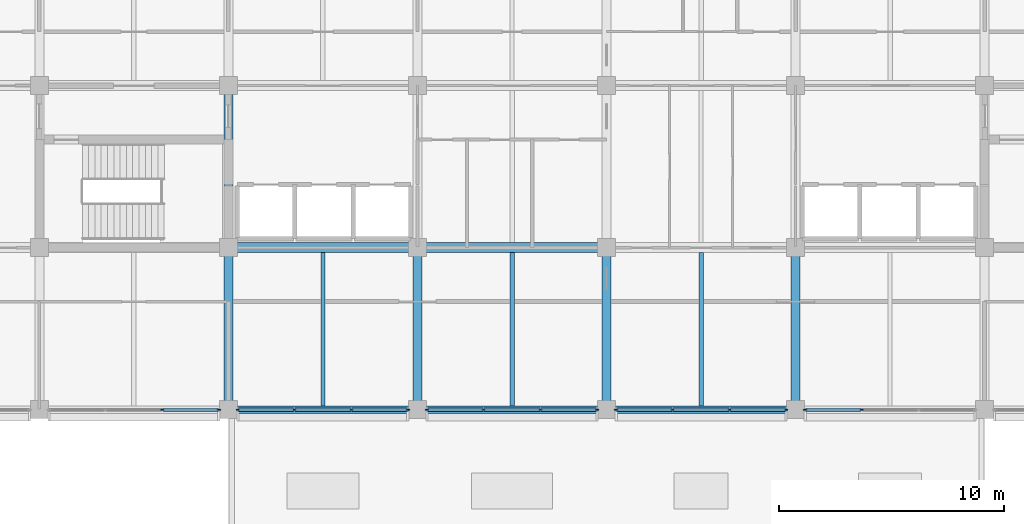
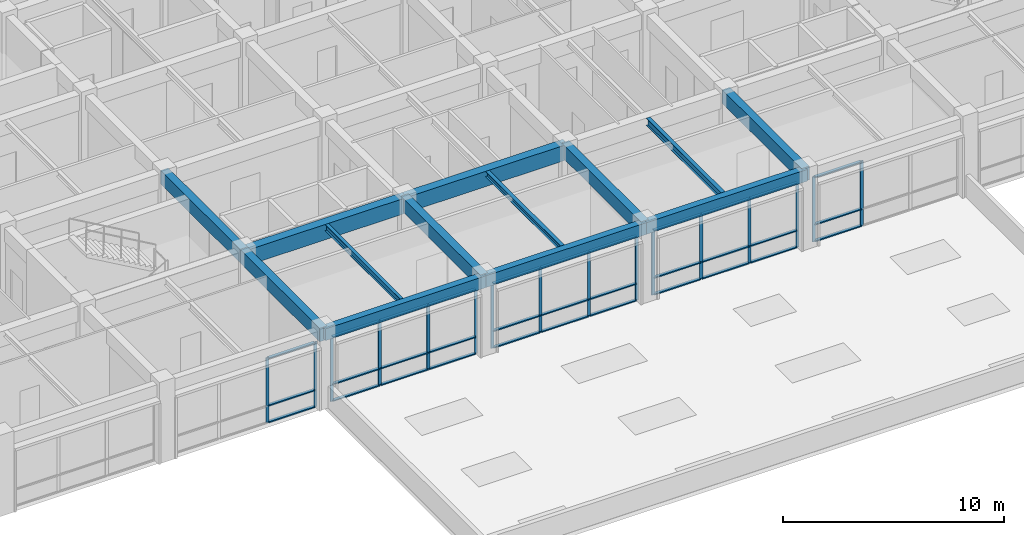
# One storey, part 5 of 40: 49 members, 13 beams, 5 elements without a shape of their own.
"""IFC4 building model written with IfcOpenShell, lengths in metres."""

from ifc_helpers import new_model, si_unit, direction, frame, origin, origin_2d, place, context, subcontext, project, spatial, rectangle, i_section, extrude, material, layer, layer_set, material_profile, profile_set, type_object, element, aggregate, save


model = new_model("IFC4")

# Units and contexts
model_context = context("Model", 3, precision=1e-05, world=origin(), true_north=direction((0.0, 1.0)))
body_context = subcontext(model_context, "Body", "Model", "MODEL_VIEW")
ifc_project = project(units=[si_unit("LENGTHUNIT", "METRE"), si_unit("AREAUNIT", "SQUARE_METRE"), si_unit("VOLUMEUNIT", "CUBIC_METRE"), si_unit("PLANEANGLEUNIT", "RADIAN"), si_unit("MASSUNIT", "GRAM", prefix="KILO")], contexts=[model_context])

# Site, building, storey
site_placement = place(None, origin())
site = spatial("IfcSite", under=ifc_project, at=site_placement, CompositionType="ELEMENT")
building_placement = place(site_placement, origin())
building = spatial("IfcBuilding", under=site, at=building_placement, Name="Chengyuan Square Courthouse", CompositionType="ELEMENT")
storey_placement = place(building_placement, frame((0.0, 0.0, 21.60009765625)))
storey = spatial("IfcBuildingStorey", under=building, at=storey_placement, Name="L05", CompositionType="ELEMENT", Elevation=21.60009765625)

# Beams
ifc_material_1 = material(Name="Concrete C40", Category="concrete")
ifc_material_profile_1 = material_profile(ifc_material_1, rectangle(XDim=0.449951171875, YDim=0.85009765625, at=origin_2d()), Name="RC-BM-450x850")
ifc_profile_set_1 = profile_set([ifc_material_profile_1], Name="Concrete C40")
beam_type_1 = type_object("IfcBeamType", Name="BM-01", PredefinedType="USERDEFINED", material=ifc_profile_set_1)
beam_1_placement = place(storey_placement, frame((67.199951171875, 86.39990234375, 3.81494140625), z_axis=(1.0, 0.0, 0.0), x_axis=(0.0, 1.0, 0.0)))
element("IfcBeam", 1, at=beam_1_placement, inside=storey, type_object=beam_type_1, Name="Girder BM-L05-3213", ObjectType="GIRDER", PredefinedType="USERDEFINED", context=body_context, shape_type="SweptSolid", body=[
    extrude(rectangle(XDim=0.449951171875, YDim=0.85009765625, at=origin_2d()), origin(), (0.0, 0.0, 1.0), 8.400146484375),
])
beam_2_placement = place(storey_placement, frame((75.60009765625, 86.39990234375, 3.81494140625), z_axis=(1.0, 0.0, 0.0), x_axis=(0.0, 1.0, 0.0)))
element("IfcBeam", 2, at=beam_2_placement, inside=storey, type_object=beam_type_1, Name="Girder BM-L05-3214", ObjectType="GIRDER", PredefinedType="USERDEFINED", context=body_context, shape_type="SweptSolid", body=[
    extrude(rectangle(XDim=0.449951171875, YDim=0.85009765625, at=origin_2d()), origin(), (0.0, 0.0, 1.0), 8.39990234375),
])
ifc_material_profile_2 = material_profile(ifc_material_1, rectangle(XDim=0.39990234375, YDim=0.75, at=origin_2d()), Name="RC-BM-400x750")
ifc_profile_set_2 = profile_set([ifc_material_profile_2], Name="Concrete C40")
beam_type_2 = type_object("IfcBeamType", Name="BM-02", PredefinedType="USERDEFINED", material=ifc_profile_set_2)
beam_3_placement = place(storey_placement, frame((67.199951171875, 79.199951171875, 3.864990234375), z_axis=(0.0, 1.0, 0.0), x_axis=(-1.0, 0.0, 0.0)))
element("IfcBeam", 3, at=beam_3_placement, inside=storey, type_object=beam_type_2, Name="Girder BM-L05-3288", ObjectType="GIRDER", PredefinedType="USERDEFINED", context=body_context, shape_type="SweptSolid", body=[
    extrude(rectangle(XDim=0.39990234375, YDim=0.75, at=origin_2d()), origin(), (0.0, 0.0, 1.0), 7.199951171875),
])
beam_4_placement = place(storey_placement, frame((67.199951171875, 86.39990234375, 3.864990234375), z_axis=(0.0, 1.0, 0.0), x_axis=(-1.0, 0.0, 0.0)))
element("IfcBeam", 4, at=beam_4_placement, inside=storey, type_object=beam_type_2, Name="Girder BM-L05-3289", ObjectType="GIRDER", PredefinedType="USERDEFINED", context=body_context, shape_type="SweptSolid", body=[
    extrude(rectangle(XDim=0.39990234375, YDim=0.75, at=origin_2d()), origin(), (0.0, 0.0, 1.0), 7.2001953125),
])
for number, where, z_axis, x_axis, name in (
    (5, (75.60009765625, 79.199951171875, 3.864990234375), (0.0, 1.0, 0.0), (-1.0, 0.0, 0.0), "Girder BM-L05-3293"),
    (6, (84.0, 79.199951171875, 3.864990234375), (0.0, 1.0, 0.0), (-1.0, 0.0, 0.0), "Girder BM-L05-3298"),
    (7, (92.39990234375, 79.199951171875, 3.864990234375), (0.0, 1.0, 0.0), (-1.0, 0.0, 0.0), "Girder BM-L05-3303"),
):
    element("IfcBeam", number, at=place(storey_placement, frame(where, z_axis=z_axis, x_axis=x_axis)), inside=storey, type_object=beam_type_2, Name=name, ObjectType="GIRDER", PredefinedType="USERDEFINED", context=body_context, shape_type="SweptSolid", body=[
        extrude(rectangle(XDim=0.39990234375, YDim=0.75, at=origin_2d()), origin(), (0.0, 0.0, 1.0), 7.199951171875),
    ])
ifc_material_profile_3 = material_profile(ifc_material_1, rectangle(XDim=0.35009765625, YDim=0.64990234375, at=origin_2d()), Name="RC-BM-350x650")
ifc_profile_set_3 = profile_set([ifc_material_profile_3], Name="Concrete C40")
beam_type_3 = type_object("IfcBeamType", Name="BM-03", PredefinedType="SPANDREL", material=ifc_profile_set_3)
beam_5_placement = place(storey_placement, frame((67.199951171875, 79.199951171875, 3.914794921875), z_axis=(1.0, 0.0, 0.0), x_axis=(0.0, 1.0, 0.0)))
element("IfcBeam", 8, at=beam_5_placement, inside=storey, type_object=beam_type_3, Name="Girder BM-L05-3200", PredefinedType="SPANDREL", context=body_context, shape_type="SweptSolid", body=[
    extrude(rectangle(XDim=0.35009765625, YDim=0.64990234375, at=origin_2d()), origin(), (0.0, 0.0, 1.0), 8.400146484375),
])
for number, where, z_axis, x_axis, name in (
    (9, (75.60009765625, 79.199951171875, 3.914794921875), (1.0, 0.0, 0.0), (0.0, 1.0, 0.0), "Girder BM-L05-3201"),
    (10, (84.0, 79.199951171875, 3.914794921875), (1.0, 0.0, 0.0), (0.0, 1.0, 0.0), "Girder BM-L05-3202"),
):
    element("IfcBeam", number, at=place(storey_placement, frame(where, z_axis=z_axis, x_axis=x_axis)), inside=storey, type_object=beam_type_3, Name=name, PredefinedType="SPANDREL", context=body_context, shape_type="SweptSolid", body=[
        extrude(rectangle(XDim=0.35009765625, YDim=0.64990234375, at=origin_2d()), origin(), (0.0, 0.0, 1.0), 8.39990234375),
    ])
ifc_material_2 = material(Name="Steel Q355B", Category="steel")
ifc_material_profile_4 = material_profile(ifc_material_2, i_section(OverallWidth=0.199951171875, OverallDepth=0.39990234375, WebThickness=0.008056640625, FlangeThickness=0.012939453125, at=origin_2d()), Name="HN 400x200x8x13")
ifc_profile_set_4 = profile_set([ifc_material_profile_4], Name="Steel Q355B")
beam_type_4 = type_object("IfcBeamType", Name="BM-07", PredefinedType="BEAM", material=ifc_profile_set_4)
beam_6_placement = place(storey_placement, frame((88.199951171875, 79.375, 4.039794921875), z_axis=(0.0, 1.0, 0.0), x_axis=(-1.0, 0.0, 0.0)))
element("IfcBeam", 11, at=beam_6_placement, inside=storey, type_object=beam_type_4, Name="Secondary Floor Beam SBM-L05-3359", PredefinedType="BEAM", context=body_context, shape_type="SweptSolid", body=[
    extrude(i_section(OverallWidth=0.199951171875, OverallDepth=0.39990234375, WebThickness=0.008056640625, FlangeThickness=0.012939453125, at=origin_2d()), origin(), (0.0, 0.0, 1.0), 6.800048828125),
])
ifc_material_profile_5 = material_profile(ifc_material_2, i_section(OverallWidth=0.175048828125, OverallDepth=0.35009765625, WebThickness=0.007080078125, FlangeThickness=0.010986328125, at=origin_2d()), Name="HN 350x175x7x11")
ifc_profile_set_5 = profile_set([ifc_material_profile_5], Name="Steel Q355B")
beam_type_5 = type_object("IfcBeamType", Name="BM-08", PredefinedType="BEAM", material=ifc_profile_set_5)
beam_7_placement = place(storey_placement, frame((71.39990234375, 79.375, 4.06494140625), z_axis=(0.0, 1.0, 0.0), x_axis=(-1.0, 0.0, 0.0)))
element("IfcBeam", 12, at=beam_7_placement, inside=storey, type_object=beam_type_5, Name="Secondary Floor Beam SBM-L05-3351", PredefinedType="BEAM", context=body_context, shape_type="SweptSolid", body=[
    extrude(i_section(OverallWidth=0.175048828125, OverallDepth=0.35009765625, WebThickness=0.007080078125, FlangeThickness=0.010986328125, at=origin_2d()), origin(), (0.0, 0.0, 1.0), 6.800048828125),
])
ifc_material_profile_6 = material_profile(ifc_material_2, i_section(OverallWidth=0.199951171875, OverallDepth=0.300048828125, WebThickness=0.008056640625, FlangeThickness=0.011962890625, at=origin_2d()), Name="HM 300x200x8x12")
ifc_profile_set_6 = profile_set([ifc_material_profile_6], Name="Steel Q355B")
beam_type_6 = type_object("IfcBeamType", Name="BM-09", PredefinedType="BEAM", material=ifc_profile_set_6)
beam_8_placement = place(storey_placement, frame((79.800048828125, 79.375, 4.08984375), z_axis=(0.0, 1.0, 0.0), x_axis=(-1.0, 0.0, 0.0)))
element("IfcBeam", 13, at=beam_8_placement, inside=storey, type_object=beam_type_6, Name="Secondary Floor Beam SBM-L05-3355", PredefinedType="BEAM", context=body_context, shape_type="SweptSolid", body=[
    extrude(i_section(OverallWidth=0.199951171875, OverallDepth=0.300048828125, WebThickness=0.008056640625, FlangeThickness=0.011962890625, at=origin_2d()), origin(), (0.0, 0.0, 1.0), 6.800048828125),
])

# Curtain wall, members
ifc_material_3 = material(Name="Unitised Aluminium and Triple Low-E Glass", Category="aluminium")
ifc_layer = layer(ifc_material_3, 0.159912109375)
ifc_layer_set = layer_set([ifc_layer], Name="Unitised Aluminium and Triple Low-E Glass")
curtain_wall_type = type_object("IfcCurtainWallType", Name="CW-13", PredefinedType="USERDEFINED", material=ifc_layer_set)
curtain_wall_1_placement = place(storey_placement, origin())
curtain_wall_1 = element("IfcCurtainWall", 14, at=curtain_wall_1_placement, inside=storey, type_object=curtain_wall_type, Name="Unitised Curtain Wall CW-L05-170", ObjectType="UNITISED CURTAIN WALL", PredefinedType="USERDEFINED")
ifc_material_4 = material(Name="Aluminium 6063-T6 Frame", Category="aluminium")
ifc_material_profile_7 = material_profile(ifc_material_4, rectangle(XDim=0.06005859375, YDim=0.159912109375, at=origin_2d()), Name="CW-MUL-60x160")
ifc_profile_set_7 = profile_set([ifc_material_profile_7], Name="Aluminium 6063-T6 Frame")
member_type_1 = type_object("IfcMemberType", Name="CWM-01", PredefinedType="MULLION", material=ifc_profile_set_7)
member_1_placement = place(storey_placement, frame((64.2666015625, 79.199951171875, 0.0), z_axis=(0.0, 0.0, 1.0), x_axis=(0.0, 1.0, 0.0)))
member_1 = element("IfcMember", 15, at=member_1_placement, type_object=member_type_1, Name="CW-13 mullion 3", PredefinedType="MULLION", context=body_context, shape_type="SweptSolid", body=[
    extrude(rectangle(XDim=0.06005859375, YDim=0.159912109375, at=origin_2d()), origin(), (0.0, 0.0, 1.0), 3.58984375),
])
member_2_placement = place(storey_placement, frame((66.77001953125, 79.199951171875, 0.0), z_axis=(0.0, 0.0, 1.0), x_axis=(0.0, 1.0, 0.0)))
member_2 = element("IfcMember", 16, at=member_2_placement, type_object=member_type_1, Name="CW-13 mullion 4", PredefinedType="MULLION", context=body_context, shape_type="SweptSolid", body=[
    extrude(rectangle(XDim=0.06005859375, YDim=0.159912109375, at=origin_2d()), origin(), (0.0, 0.0, 1.0), 3.58984375),
])

curtain_wall_2_placement = place(storey_placement, origin())
curtain_wall_2 = element("IfcCurtainWall", 17, at=curtain_wall_2_placement, inside=storey, type_object=curtain_wall_type, Name="Unitised Curtain Wall CW-L05-171", ObjectType="UNITISED CURTAIN WALL", PredefinedType="USERDEFINED")
member_3_placement = place(storey_placement, frame((67.6298828125, 79.199951171875, 0.0), z_axis=(0.0, 0.0, 1.0), x_axis=(0.0, 1.0, 0.0)))
member_3 = element("IfcMember", 18, at=member_3_placement, type_object=member_type_1, Name="CW-13 mullion 1", PredefinedType="MULLION", context=body_context, shape_type="SweptSolid", body=[
    extrude(rectangle(XDim=0.06005859375, YDim=0.159912109375, at=origin_2d()), origin(), (0.0, 0.0, 1.0), 3.58984375),
])
member_4_placement = place(storey_placement, frame((70.13330078125, 79.199951171875, 0.0), z_axis=(0.0, 0.0, 1.0), x_axis=(0.0, 1.0, 0.0)))
member_4 = element("IfcMember", 19, at=member_4_placement, type_object=member_type_1, Name="CW-13 mullion 2", PredefinedType="MULLION", context=body_context, shape_type="SweptSolid", body=[
    extrude(rectangle(XDim=0.06005859375, YDim=0.159912109375, at=origin_2d()), origin(), (0.0, 0.0, 1.0), 3.58984375),
])
member_5_placement = place(storey_placement, frame((72.666748046875, 79.199951171875, 0.0), z_axis=(0.0, 0.0, 1.0), x_axis=(0.0, 1.0, 0.0)))
member_5 = element("IfcMember", 20, at=member_5_placement, type_object=member_type_1, Name="CW-13 mullion 3", PredefinedType="MULLION", context=body_context, shape_type="SweptSolid", body=[
    extrude(rectangle(XDim=0.06005859375, YDim=0.159912109375, at=origin_2d()), origin(), (0.0, 0.0, 1.0), 3.58984375),
])
member_6_placement = place(storey_placement, frame((75.169921875, 79.199951171875, 0.0), z_axis=(0.0, 0.0, 1.0), x_axis=(0.0, 1.0, 0.0)))
member_6 = element("IfcMember", 21, at=member_6_placement, type_object=member_type_1, Name="CW-13 mullion 4", PredefinedType="MULLION", context=body_context, shape_type="SweptSolid", body=[
    extrude(rectangle(XDim=0.06005859375, YDim=0.159912109375, at=origin_2d()), origin(), (0.0, 0.0, 1.0), 3.58984375),
])

curtain_wall_3_placement = place(storey_placement, origin())
curtain_wall_3 = element("IfcCurtainWall", 22, at=curtain_wall_3_placement, inside=storey, type_object=curtain_wall_type, Name="Unitised Curtain Wall CW-L05-173", ObjectType="UNITISED CURTAIN WALL", PredefinedType="USERDEFINED")
member_7_placement = place(storey_placement, frame((76.030029296875, 79.199951171875, 0.0), z_axis=(0.0, 0.0, 1.0), x_axis=(0.0, 1.0, 0.0)))
member_7 = element("IfcMember", 23, at=member_7_placement, type_object=member_type_1, Name="CW-13 mullion 1", PredefinedType="MULLION", context=body_context, shape_type="SweptSolid", body=[
    extrude(rectangle(XDim=0.06005859375, YDim=0.159912109375, at=origin_2d()), origin(), (0.0, 0.0, 1.0), 3.58984375),
])
member_8_placement = place(storey_placement, frame((78.533447265625, 79.199951171875, 0.0), z_axis=(0.0, 0.0, 1.0), x_axis=(0.0, 1.0, 0.0)))
member_8 = element("IfcMember", 24, at=member_8_placement, type_object=member_type_1, Name="CW-13 mullion 2", PredefinedType="MULLION", context=body_context, shape_type="SweptSolid", body=[
    extrude(rectangle(XDim=0.06005859375, YDim=0.159912109375, at=origin_2d()), origin(), (0.0, 0.0, 1.0), 3.58984375),
])
member_9_placement = place(storey_placement, frame((81.066650390625, 79.199951171875, 0.0), z_axis=(0.0, 0.0, 1.0), x_axis=(0.0, 1.0, 0.0)))
member_9 = element("IfcMember", 25, at=member_9_placement, type_object=member_type_1, Name="CW-13 mullion 3", PredefinedType="MULLION", context=body_context, shape_type="SweptSolid", body=[
    extrude(rectangle(XDim=0.06005859375, YDim=0.159912109375, at=origin_2d()), origin(), (0.0, 0.0, 1.0), 3.58984375),
])
member_10_placement = place(storey_placement, frame((83.570068359375, 79.199951171875, 0.0), z_axis=(0.0, 0.0, 1.0), x_axis=(0.0, 1.0, 0.0)))
member_10 = element("IfcMember", 26, at=member_10_placement, type_object=member_type_1, Name="CW-13 mullion 4", PredefinedType="MULLION", context=body_context, shape_type="SweptSolid", body=[
    extrude(rectangle(XDim=0.06005859375, YDim=0.159912109375, at=origin_2d()), origin(), (0.0, 0.0, 1.0), 3.58984375),
])

curtain_wall_4_placement = place(storey_placement, origin())
curtain_wall_4 = element("IfcCurtainWall", 27, at=curtain_wall_4_placement, inside=storey, type_object=curtain_wall_type, Name="Unitised Curtain Wall CW-L05-174", ObjectType="UNITISED CURTAIN WALL", PredefinedType="USERDEFINED")
member_11_placement = place(storey_placement, frame((84.429931640625, 79.199951171875, 0.0), z_axis=(0.0, 0.0, 1.0), x_axis=(0.0, 1.0, 0.0)))
member_11 = element("IfcMember", 28, at=member_11_placement, type_object=member_type_1, Name="CW-13 mullion 1", PredefinedType="MULLION", context=body_context, shape_type="SweptSolid", body=[
    extrude(rectangle(XDim=0.06005859375, YDim=0.159912109375, at=origin_2d()), origin(), (0.0, 0.0, 1.0), 3.58984375),
])
member_12_placement = place(storey_placement, frame((86.933349609375, 79.199951171875, 0.0), z_axis=(0.0, 0.0, 1.0), x_axis=(0.0, 1.0, 0.0)))
member_12 = element("IfcMember", 29, at=member_12_placement, type_object=member_type_1, Name="CW-13 mullion 2", PredefinedType="MULLION", context=body_context, shape_type="SweptSolid", body=[
    extrude(rectangle(XDim=0.06005859375, YDim=0.159912109375, at=origin_2d()), origin(), (0.0, 0.0, 1.0), 3.58984375),
])
member_13_placement = place(storey_placement, frame((89.466552734375, 79.199951171875, 0.0), z_axis=(0.0, 0.0, 1.0), x_axis=(0.0, 1.0, 0.0)))
member_13 = element("IfcMember", 30, at=member_13_placement, type_object=member_type_1, Name="CW-13 mullion 3", PredefinedType="MULLION", context=body_context, shape_type="SweptSolid", body=[
    extrude(rectangle(XDim=0.06005859375, YDim=0.159912109375, at=origin_2d()), origin(), (0.0, 0.0, 1.0), 3.58984375),
])
member_14_placement = place(storey_placement, frame((91.969970703125, 79.199951171875, 0.0), z_axis=(0.0, 0.0, 1.0), x_axis=(0.0, 1.0, 0.0)))
member_14 = element("IfcMember", 31, at=member_14_placement, type_object=member_type_1, Name="CW-13 mullion 4", PredefinedType="MULLION", context=body_context, shape_type="SweptSolid", body=[
    extrude(rectangle(XDim=0.06005859375, YDim=0.159912109375, at=origin_2d()), origin(), (0.0, 0.0, 1.0), 3.58984375),
])

curtain_wall_5_placement = place(storey_placement, origin())
curtain_wall_5 = element("IfcCurtainWall", 32, at=curtain_wall_5_placement, inside=storey, type_object=curtain_wall_type, Name="Unitised Curtain Wall CW-L05-176", ObjectType="UNITISED CURTAIN WALL", PredefinedType="USERDEFINED")
member_15_placement = place(storey_placement, frame((92.830078125, 79.199951171875, 0.0), z_axis=(0.0, 0.0, 1.0), x_axis=(0.0, 1.0, 0.0)))
member_15 = element("IfcMember", 33, at=member_15_placement, type_object=member_type_1, Name="CW-13 mullion 1", PredefinedType="MULLION", context=body_context, shape_type="SweptSolid", body=[
    extrude(rectangle(XDim=0.06005859375, YDim=0.159912109375, at=origin_2d()), origin(), (0.0, 0.0, 1.0), 3.58984375),
])
member_16_placement = place(storey_placement, frame((95.333251953125, 79.199951171875, 0.0), z_axis=(0.0, 0.0, 1.0), x_axis=(0.0, 1.0, 0.0)))
member_16 = element("IfcMember", 34, at=member_16_placement, type_object=member_type_1, Name="CW-13 mullion 2", PredefinedType="MULLION", context=body_context, shape_type="SweptSolid", body=[
    extrude(rectangle(XDim=0.06005859375, YDim=0.159912109375, at=origin_2d()), origin(), (0.0, 0.0, 1.0), 3.58984375),
])

# Member
ifc_material_profile_8 = material_profile(ifc_material_4, rectangle(XDim=0.159912109375, YDim=0.06005859375, at=origin_2d()), Name="CW-TRN-60x120")
ifc_profile_set_8 = profile_set([ifc_material_profile_8], Name="Aluminium 6063-T6 Frame")
member_type_2 = type_object("IfcMemberType", Name="CWT-01", PredefinedType="USERDEFINED", material=ifc_profile_set_8)
member_17_placement = place(storey_placement, frame((64.296630859375, 79.199951171875, 0.02978515625), z_axis=(1.0, 0.0, 0.0), x_axis=(0.0, 1.0, 0.0)))
member_17 = element("IfcMember", 35, at=member_17_placement, type_object=member_type_2, Name="CW-13 transom 3.1", ObjectType="TRANSOM", PredefinedType="USERDEFINED", context=body_context, shape_type="SweptSolid", body=[
    extrude(rectangle(XDim=0.159912109375, YDim=0.06005859375, at=origin_2d()), origin(), (0.0, 0.0, 1.0), 2.443359375),
])

member_18_placement = place(storey_placement, frame((64.296630859375, 79.199951171875, 0.949951171875), z_axis=(1.0, 0.0, 0.0), x_axis=(0.0, 1.0, 0.0)))
member_18 = element("IfcMember", 36, at=member_18_placement, type_object=member_type_2, Name="CW-13 transom 3.2", ObjectType="TRANSOM", PredefinedType="USERDEFINED", context=body_context, shape_type="SweptSolid", body=[
    extrude(rectangle(XDim=0.159912109375, YDim=0.06005859375, at=origin_2d()), origin(), (0.0, 0.0, 1.0), 2.443359375),
])

member_19_placement = place(storey_placement, frame((64.296630859375, 79.199951171875, 3.559814453125), z_axis=(1.0, 0.0, 0.0), x_axis=(0.0, 1.0, 0.0)))
member_19 = element("IfcMember", 37, at=member_19_placement, type_object=member_type_2, Name="CW-13 transom 3.3", ObjectType="TRANSOM", PredefinedType="USERDEFINED", context=body_context, shape_type="SweptSolid", body=[
    extrude(rectangle(XDim=0.159912109375, YDim=0.06005859375, at=origin_2d()), origin(), (0.0, 0.0, 1.0), 2.443359375),
])

aggregate(curtain_wall_1, [member_1, member_2, member_17, member_18, member_19])

member_20_placement = place(storey_placement, frame((67.659912109375, 79.199951171875, 0.02978515625), z_axis=(1.0, 0.0, 0.0), x_axis=(0.0, 1.0, 0.0)))
member_20 = element("IfcMember", 38, at=member_20_placement, type_object=member_type_2, Name="CW-13 transom 1.1", ObjectType="TRANSOM", PredefinedType="USERDEFINED", context=body_context, shape_type="SweptSolid", body=[
    extrude(rectangle(XDim=0.159912109375, YDim=0.06005859375, at=origin_2d()), origin(), (0.0, 0.0, 1.0), 2.443359375),
])

member_21_placement = place(storey_placement, frame((67.659912109375, 79.199951171875, 0.949951171875), z_axis=(1.0, 0.0, 0.0), x_axis=(0.0, 1.0, 0.0)))
member_21 = element("IfcMember", 39, at=member_21_placement, type_object=member_type_2, Name="CW-13 transom 1.2", ObjectType="TRANSOM", PredefinedType="USERDEFINED", context=body_context, shape_type="SweptSolid", body=[
    extrude(rectangle(XDim=0.159912109375, YDim=0.06005859375, at=origin_2d()), origin(), (0.0, 0.0, 1.0), 2.443359375),
])

member_22_placement = place(storey_placement, frame((67.659912109375, 79.199951171875, 3.559814453125), z_axis=(1.0, 0.0, 0.0), x_axis=(0.0, 1.0, 0.0)))
member_22 = element("IfcMember", 40, at=member_22_placement, type_object=member_type_2, Name="CW-13 transom 1.3", ObjectType="TRANSOM", PredefinedType="USERDEFINED", context=body_context, shape_type="SweptSolid", body=[
    extrude(rectangle(XDim=0.159912109375, YDim=0.06005859375, at=origin_2d()), origin(), (0.0, 0.0, 1.0), 2.443359375),
])

member_23_placement = place(storey_placement, frame((70.163330078125, 79.199951171875, 0.02978515625), z_axis=(1.0, 0.0, 0.0), x_axis=(0.0, 1.0, 0.0)))
member_23 = element("IfcMember", 41, at=member_23_placement, type_object=member_type_2, Name="CW-13 transom 2.1", ObjectType="TRANSOM", PredefinedType="USERDEFINED", context=body_context, shape_type="SweptSolid", body=[
    extrude(rectangle(XDim=0.159912109375, YDim=0.06005859375, at=origin_2d()), origin(), (0.0, 0.0, 1.0), 2.473388671875),
])

member_24_placement = place(storey_placement, frame((70.163330078125, 79.199951171875, 0.949951171875), z_axis=(1.0, 0.0, 0.0), x_axis=(0.0, 1.0, 0.0)))
member_24 = element("IfcMember", 42, at=member_24_placement, type_object=member_type_2, Name="CW-13 transom 2.2", ObjectType="TRANSOM", PredefinedType="USERDEFINED", context=body_context, shape_type="SweptSolid", body=[
    extrude(rectangle(XDim=0.159912109375, YDim=0.06005859375, at=origin_2d()), origin(), (0.0, 0.0, 1.0), 2.473388671875),
])

member_25_placement = place(storey_placement, frame((70.163330078125, 79.199951171875, 3.559814453125), z_axis=(1.0, 0.0, 0.0), x_axis=(0.0, 1.0, 0.0)))
member_25 = element("IfcMember", 43, at=member_25_placement, type_object=member_type_2, Name="CW-13 transom 2.3", ObjectType="TRANSOM", PredefinedType="USERDEFINED", context=body_context, shape_type="SweptSolid", body=[
    extrude(rectangle(XDim=0.159912109375, YDim=0.06005859375, at=origin_2d()), origin(), (0.0, 0.0, 1.0), 2.473388671875),
])

member_26_placement = place(storey_placement, frame((72.69677734375, 79.199951171875, 0.02978515625), z_axis=(1.0, 0.0, 0.0), x_axis=(0.0, 1.0, 0.0)))
member_26 = element("IfcMember", 44, at=member_26_placement, type_object=member_type_2, Name="CW-13 transom 3.1", ObjectType="TRANSOM", PredefinedType="USERDEFINED", context=body_context, shape_type="SweptSolid", body=[
    extrude(rectangle(XDim=0.159912109375, YDim=0.06005859375, at=origin_2d()), origin(), (0.0, 0.0, 1.0), 2.443115234375),
])

member_27_placement = place(storey_placement, frame((72.69677734375, 79.199951171875, 0.949951171875), z_axis=(1.0, 0.0, 0.0), x_axis=(0.0, 1.0, 0.0)))
member_27 = element("IfcMember", 45, at=member_27_placement, type_object=member_type_2, Name="CW-13 transom 3.2", ObjectType="TRANSOM", PredefinedType="USERDEFINED", context=body_context, shape_type="SweptSolid", body=[
    extrude(rectangle(XDim=0.159912109375, YDim=0.06005859375, at=origin_2d()), origin(), (0.0, 0.0, 1.0), 2.443115234375),
])

member_28_placement = place(storey_placement, frame((72.69677734375, 79.199951171875, 3.559814453125), z_axis=(1.0, 0.0, 0.0), x_axis=(0.0, 1.0, 0.0)))
member_28 = element("IfcMember", 46, at=member_28_placement, type_object=member_type_2, Name="CW-13 transom 3.3", ObjectType="TRANSOM", PredefinedType="USERDEFINED", context=body_context, shape_type="SweptSolid", body=[
    extrude(rectangle(XDim=0.159912109375, YDim=0.06005859375, at=origin_2d()), origin(), (0.0, 0.0, 1.0), 2.443115234375),
])

aggregate(curtain_wall_2, [member_3, member_4, member_5, member_6, member_20, member_21, member_22, member_23, member_24, member_25, member_26, member_27, member_28])

member_29_placement = place(storey_placement, frame((76.06005859375, 79.199951171875, 0.02978515625), z_axis=(1.0, 0.0, 0.0), x_axis=(0.0, 1.0, 0.0)))
member_29 = element("IfcMember", 47, at=member_29_placement, type_object=member_type_2, Name="CW-13 transom 1.1", ObjectType="TRANSOM", PredefinedType="USERDEFINED", context=body_context, shape_type="SweptSolid", body=[
    extrude(rectangle(XDim=0.159912109375, YDim=0.06005859375, at=origin_2d()), origin(), (0.0, 0.0, 1.0), 2.443359375),
])

member_30_placement = place(storey_placement, frame((76.06005859375, 79.199951171875, 0.949951171875), z_axis=(1.0, 0.0, 0.0), x_axis=(0.0, 1.0, 0.0)))
member_30 = element("IfcMember", 48, at=member_30_placement, type_object=member_type_2, Name="CW-13 transom 1.2", ObjectType="TRANSOM", PredefinedType="USERDEFINED", context=body_context, shape_type="SweptSolid", body=[
    extrude(rectangle(XDim=0.159912109375, YDim=0.06005859375, at=origin_2d()), origin(), (0.0, 0.0, 1.0), 2.443359375),
])

member_31_placement = place(storey_placement, frame((76.06005859375, 79.199951171875, 3.559814453125), z_axis=(1.0, 0.0, 0.0), x_axis=(0.0, 1.0, 0.0)))
member_31 = element("IfcMember", 49, at=member_31_placement, type_object=member_type_2, Name="CW-13 transom 1.3", ObjectType="TRANSOM", PredefinedType="USERDEFINED", context=body_context, shape_type="SweptSolid", body=[
    extrude(rectangle(XDim=0.159912109375, YDim=0.06005859375, at=origin_2d()), origin(), (0.0, 0.0, 1.0), 2.443359375),
])

member_32_placement = place(storey_placement, frame((78.563232421875, 79.199951171875, 0.02978515625), z_axis=(1.0, 0.0, 0.0), x_axis=(0.0, 1.0, 0.0)))
member_32 = element("IfcMember", 50, at=member_32_placement, type_object=member_type_2, Name="CW-13 transom 2.1", ObjectType="TRANSOM", PredefinedType="USERDEFINED", context=body_context, shape_type="SweptSolid", body=[
    extrude(rectangle(XDim=0.159912109375, YDim=0.06005859375, at=origin_2d()), origin(), (0.0, 0.0, 1.0), 2.473388671875),
])

member_33_placement = place(storey_placement, frame((78.563232421875, 79.199951171875, 0.949951171875), z_axis=(1.0, 0.0, 0.0), x_axis=(0.0, 1.0, 0.0)))
member_33 = element("IfcMember", 51, at=member_33_placement, type_object=member_type_2, Name="CW-13 transom 2.2", ObjectType="TRANSOM", PredefinedType="USERDEFINED", context=body_context, shape_type="SweptSolid", body=[
    extrude(rectangle(XDim=0.159912109375, YDim=0.06005859375, at=origin_2d()), origin(), (0.0, 0.0, 1.0), 2.473388671875),
])

member_34_placement = place(storey_placement, frame((78.563232421875, 79.199951171875, 3.559814453125), z_axis=(1.0, 0.0, 0.0), x_axis=(0.0, 1.0, 0.0)))
member_34 = element("IfcMember", 52, at=member_34_placement, type_object=member_type_2, Name="CW-13 transom 2.3", ObjectType="TRANSOM", PredefinedType="USERDEFINED", context=body_context, shape_type="SweptSolid", body=[
    extrude(rectangle(XDim=0.159912109375, YDim=0.06005859375, at=origin_2d()), origin(), (0.0, 0.0, 1.0), 2.473388671875),
])

member_35_placement = place(storey_placement, frame((81.0966796875, 79.199951171875, 0.02978515625), z_axis=(1.0, 0.0, 0.0), x_axis=(0.0, 1.0, 0.0)))
member_35 = element("IfcMember", 53, at=member_35_placement, type_object=member_type_2, Name="CW-13 transom 3.1", ObjectType="TRANSOM", PredefinedType="USERDEFINED", context=body_context, shape_type="SweptSolid", body=[
    extrude(rectangle(XDim=0.159912109375, YDim=0.06005859375, at=origin_2d()), origin(), (0.0, 0.0, 1.0), 2.443359375),
])

member_36_placement = place(storey_placement, frame((81.0966796875, 79.199951171875, 0.949951171875), z_axis=(1.0, 0.0, 0.0), x_axis=(0.0, 1.0, 0.0)))
member_36 = element("IfcMember", 54, at=member_36_placement, type_object=member_type_2, Name="CW-13 transom 3.2", ObjectType="TRANSOM", PredefinedType="USERDEFINED", context=body_context, shape_type="SweptSolid", body=[
    extrude(rectangle(XDim=0.159912109375, YDim=0.06005859375, at=origin_2d()), origin(), (0.0, 0.0, 1.0), 2.443359375),
])

member_37_placement = place(storey_placement, frame((81.0966796875, 79.199951171875, 3.559814453125), z_axis=(1.0, 0.0, 0.0), x_axis=(0.0, 1.0, 0.0)))
member_37 = element("IfcMember", 55, at=member_37_placement, type_object=member_type_2, Name="CW-13 transom 3.3", ObjectType="TRANSOM", PredefinedType="USERDEFINED", context=body_context, shape_type="SweptSolid", body=[
    extrude(rectangle(XDim=0.159912109375, YDim=0.06005859375, at=origin_2d()), origin(), (0.0, 0.0, 1.0), 2.443359375),
])

aggregate(curtain_wall_3, [member_7, member_8, member_9, member_10, member_29, member_30, member_31, member_32, member_33, member_34, member_35, member_36, member_37])

member_38_placement = place(storey_placement, frame((84.4599609375, 79.199951171875, 0.02978515625), z_axis=(1.0, 0.0, 0.0), x_axis=(0.0, 1.0, 0.0)))
member_38 = element("IfcMember", 56, at=member_38_placement, type_object=member_type_2, Name="CW-13 transom 1.1", ObjectType="TRANSOM", PredefinedType="USERDEFINED", context=body_context, shape_type="SweptSolid", body=[
    extrude(rectangle(XDim=0.159912109375, YDim=0.06005859375, at=origin_2d()), origin(), (0.0, 0.0, 1.0), 2.443359375),
])

member_39_placement = place(storey_placement, frame((84.4599609375, 79.199951171875, 0.949951171875), z_axis=(1.0, 0.0, 0.0), x_axis=(0.0, 1.0, 0.0)))
member_39 = element("IfcMember", 57, at=member_39_placement, type_object=member_type_2, Name="CW-13 transom 1.2", ObjectType="TRANSOM", PredefinedType="USERDEFINED", context=body_context, shape_type="SweptSolid", body=[
    extrude(rectangle(XDim=0.159912109375, YDim=0.06005859375, at=origin_2d()), origin(), (0.0, 0.0, 1.0), 2.443359375),
])

member_40_placement = place(storey_placement, frame((84.4599609375, 79.199951171875, 3.559814453125), z_axis=(1.0, 0.0, 0.0), x_axis=(0.0, 1.0, 0.0)))
member_40 = element("IfcMember", 58, at=member_40_placement, type_object=member_type_2, Name="CW-13 transom 1.3", ObjectType="TRANSOM", PredefinedType="USERDEFINED", context=body_context, shape_type="SweptSolid", body=[
    extrude(rectangle(XDim=0.159912109375, YDim=0.06005859375, at=origin_2d()), origin(), (0.0, 0.0, 1.0), 2.443359375),
])

member_41_placement = place(storey_placement, frame((86.96337890625, 79.199951171875, 0.02978515625), z_axis=(1.0, 0.0, 0.0), x_axis=(0.0, 1.0, 0.0)))
member_41 = element("IfcMember", 59, at=member_41_placement, type_object=member_type_2, Name="CW-13 transom 2.1", ObjectType="TRANSOM", PredefinedType="USERDEFINED", context=body_context, shape_type="SweptSolid", body=[
    extrude(rectangle(XDim=0.159912109375, YDim=0.06005859375, at=origin_2d()), origin(), (0.0, 0.0, 1.0), 2.473388671875),
])

member_42_placement = place(storey_placement, frame((86.96337890625, 79.199951171875, 0.949951171875), z_axis=(1.0, 0.0, 0.0), x_axis=(0.0, 1.0, 0.0)))
member_42 = element("IfcMember", 60, at=member_42_placement, type_object=member_type_2, Name="CW-13 transom 2.2", ObjectType="TRANSOM", PredefinedType="USERDEFINED", context=body_context, shape_type="SweptSolid", body=[
    extrude(rectangle(XDim=0.159912109375, YDim=0.06005859375, at=origin_2d()), origin(), (0.0, 0.0, 1.0), 2.473388671875),
])

member_43_placement = place(storey_placement, frame((86.96337890625, 79.199951171875, 3.559814453125), z_axis=(1.0, 0.0, 0.0), x_axis=(0.0, 1.0, 0.0)))
member_43 = element("IfcMember", 61, at=member_43_placement, type_object=member_type_2, Name="CW-13 transom 2.3", ObjectType="TRANSOM", PredefinedType="USERDEFINED", context=body_context, shape_type="SweptSolid", body=[
    extrude(rectangle(XDim=0.159912109375, YDim=0.06005859375, at=origin_2d()), origin(), (0.0, 0.0, 1.0), 2.473388671875),
])

member_44_placement = place(storey_placement, frame((89.49658203125, 79.199951171875, 0.02978515625), z_axis=(1.0, 0.0, 0.0), x_axis=(0.0, 1.0, 0.0)))
member_44 = element("IfcMember", 62, at=member_44_placement, type_object=member_type_2, Name="CW-13 transom 3.1", ObjectType="TRANSOM", PredefinedType="USERDEFINED", context=body_context, shape_type="SweptSolid", body=[
    extrude(rectangle(XDim=0.159912109375, YDim=0.06005859375, at=origin_2d()), origin(), (0.0, 0.0, 1.0), 2.443359375),
])

member_45_placement = place(storey_placement, frame((89.49658203125, 79.199951171875, 0.949951171875), z_axis=(1.0, 0.0, 0.0), x_axis=(0.0, 1.0, 0.0)))
member_45 = element("IfcMember", 63, at=member_45_placement, type_object=member_type_2, Name="CW-13 transom 3.2", ObjectType="TRANSOM", PredefinedType="USERDEFINED", context=body_context, shape_type="SweptSolid", body=[
    extrude(rectangle(XDim=0.159912109375, YDim=0.06005859375, at=origin_2d()), origin(), (0.0, 0.0, 1.0), 2.443359375),
])

member_46_placement = place(storey_placement, frame((89.49658203125, 79.199951171875, 3.559814453125), z_axis=(1.0, 0.0, 0.0), x_axis=(0.0, 1.0, 0.0)))
member_46 = element("IfcMember", 64, at=member_46_placement, type_object=member_type_2, Name="CW-13 transom 3.3", ObjectType="TRANSOM", PredefinedType="USERDEFINED", context=body_context, shape_type="SweptSolid", body=[
    extrude(rectangle(XDim=0.159912109375, YDim=0.06005859375, at=origin_2d()), origin(), (0.0, 0.0, 1.0), 2.443359375),
])

aggregate(curtain_wall_4, [member_11, member_12, member_13, member_14, member_38, member_39, member_40, member_41, member_42, member_43, member_44, member_45, member_46])

member_47_placement = place(storey_placement, frame((92.860107421875, 79.199951171875, 0.02978515625), z_axis=(1.0, 0.0, 0.0), x_axis=(0.0, 1.0, 0.0)))
member_47 = element("IfcMember", 65, at=member_47_placement, type_object=member_type_2, Name="CW-13 transom 1.1", ObjectType="TRANSOM", PredefinedType="USERDEFINED", context=body_context, shape_type="SweptSolid", body=[
    extrude(rectangle(XDim=0.159912109375, YDim=0.06005859375, at=origin_2d()), origin(), (0.0, 0.0, 1.0), 2.443115234375),
])

member_48_placement = place(storey_placement, frame((92.860107421875, 79.199951171875, 0.949951171875), z_axis=(1.0, 0.0, 0.0), x_axis=(0.0, 1.0, 0.0)))
member_48 = element("IfcMember", 66, at=member_48_placement, type_object=member_type_2, Name="CW-13 transom 1.2", ObjectType="TRANSOM", PredefinedType="USERDEFINED", context=body_context, shape_type="SweptSolid", body=[
    extrude(rectangle(XDim=0.159912109375, YDim=0.06005859375, at=origin_2d()), origin(), (0.0, 0.0, 1.0), 2.443115234375),
])

member_49_placement = place(storey_placement, frame((92.860107421875, 79.199951171875, 3.559814453125), z_axis=(1.0, 0.0, 0.0), x_axis=(0.0, 1.0, 0.0)))
member_49 = element("IfcMember", 67, at=member_49_placement, type_object=member_type_2, Name="CW-13 transom 1.3", ObjectType="TRANSOM", PredefinedType="USERDEFINED", context=body_context, shape_type="SweptSolid", body=[
    extrude(rectangle(XDim=0.159912109375, YDim=0.06005859375, at=origin_2d()), origin(), (0.0, 0.0, 1.0), 2.443115234375),
])

aggregate(curtain_wall_5, [member_15, member_16, member_47, member_48, member_49])

save(model, "model.ifc")
